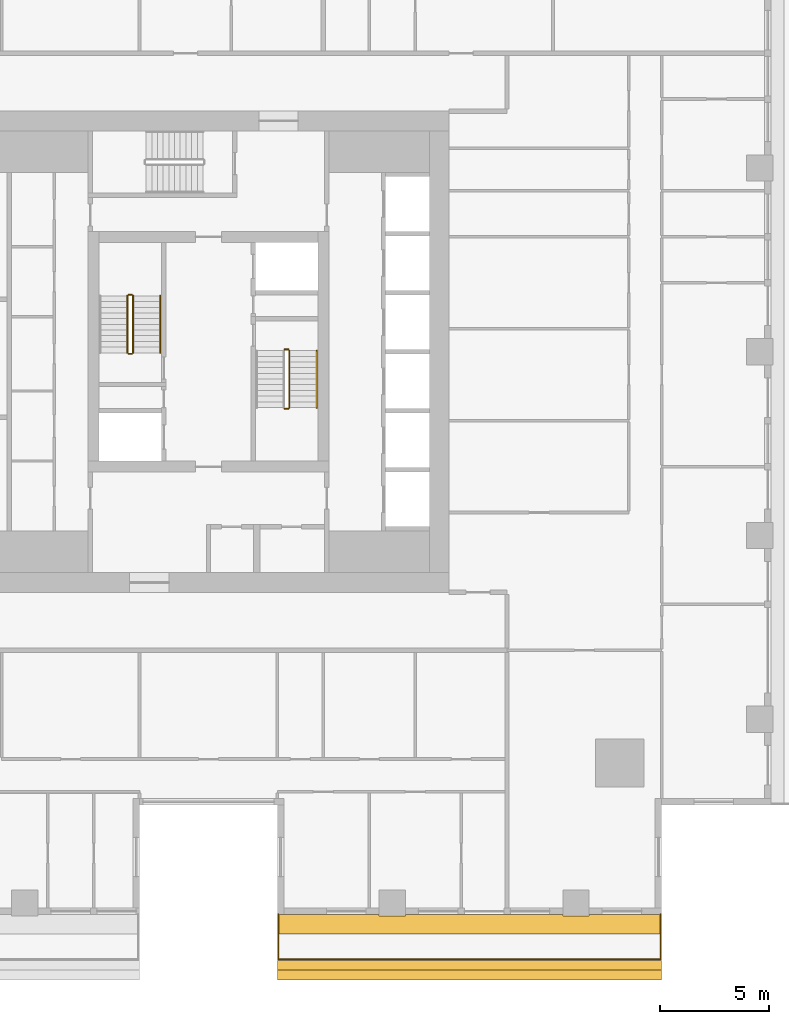
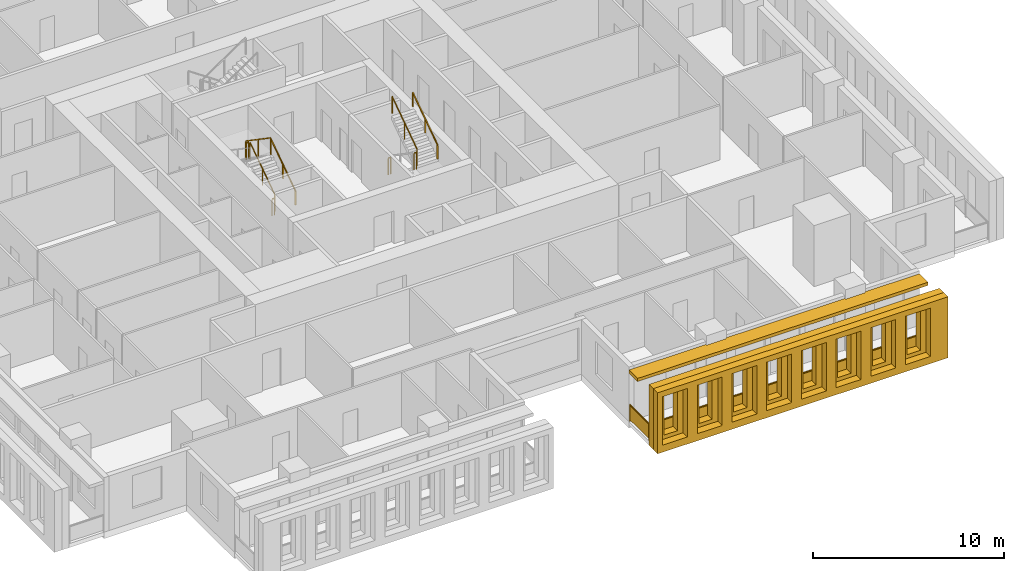
# One storey, part 12 of 15: 10 railings, 3 shading devices.
"""IFC4 building model written with IfcOpenShell, lengths in metres."""

import ifcopenshell
import ifcopenshell.guid

model = None  # the IFC model being written
_history = None  # IfcOwnerHistory: only IFC2X3 demands one
_inside = {}  # id of a spatial element -> (the spatial element, [elements in it])
_under = {}  # id of a project, library or spatial element -> (it, [spatial elements below it])
_declared = {}  # id of a project -> (the project, [libraries it declares])
_typed = {}  # id of a type object -> (the type object, [elements of that type])
_made_of = {}  # id of a material, layer set ... -> (it, [elements and type objects made of it])


def new_model(schema):
    """Start an empty IFC model of exactly this schema.

    Asked for "IFC4X3", IfcOpenShell would pick the latest addendum, in which some entities
    have other attributes; the version numbers below select the first issue.
    IFC2X3 requires an IfcOwnerHistory on every rooted entity: one is made here for all.
    """
    global model, _history
    if schema == "IFC4X3":
        model = ifcopenshell.file(schema_version=(4, 3, 0, 0))
    else:
        model = ifcopenshell.file(schema=schema)
    _inside.clear()
    _under.clear()
    _declared.clear()
    _typed.clear()
    _made_of.clear()
    _history = None
    if model.schema == "IFC2X3":
        org = make("IfcOrganization", Name="unknown")
        user = make(
            "IfcPersonAndOrganization",
            ThePerson=make("IfcPerson", FamilyName="unknown"),
            TheOrganization=org,
        )
        app = make(
            "IfcApplication",
            ApplicationDeveloper=org,
            Version="unknown",
            ApplicationFullName="unknown",
            ApplicationIdentifier="unknown",
        )
        _history = make(
            "IfcOwnerHistory",
            OwningUser=user,
            OwningApplication=app,
            ChangeAction="ADDED",
            CreationDate=0,
        )
    return model


def make(cls, **values):
    """One entity of the class cls with the attributes given. An attribute that is None is left unset."""
    return model.create_entity(
        cls, **{name: value for name, value in values.items() if value is not None}
    )


def rooted(cls, **values):
    """An entity with a GlobalId (a new one), such as an element, a storey or a relation."""
    return make(cls, GlobalId=ifcopenshell.guid.new(), OwnerHistory=_history, **values)


def si_unit(unit_type, name, prefix=None):
    """IfcSIUnit, for example si_unit("LENGTHUNIT", "METRE", prefix="MILLI")."""
    return make("IfcSIUnit", UnitType=unit_type, Prefix=prefix, Name=name)


def assignment(units):
    """IfcUnitAssignment: the units of a project."""
    return None if units is None else make("IfcUnitAssignment", Units=units)


def point(xyz):
    """IfcCartesianPoint."""
    return None if xyz is None else make("IfcCartesianPoint", Coordinates=xyz)


def direction(xyz):
    """IfcDirection."""
    return None if xyz is None else make("IfcDirection", DirectionRatios=xyz)


def frame(location, z_axis=None, x_axis=None):
    """IfcAxis2Placement3D, a coordinate frame: its origin and axes. An axis left out is left unset."""
    return make(
        "IfcAxis2Placement3D",
        Location=point(location),
        Axis=direction(z_axis),
        RefDirection=direction(x_axis),
    )


def frame_2d(location, x_axis=None):
    """IfcAxis2Placement2D, a coordinate frame in the plane: its origin and x axis."""
    return make(
        "IfcAxis2Placement2D", Location=point(location), RefDirection=direction(x_axis)
    )


def origin():
    """The frame at (0, 0, 0) with its axes left unset."""
    return frame((0.0, 0.0, 0.0))


def origin_2d():
    """The frame at (0, 0) in the plane with its x axis left unset."""
    return frame_2d((0.0, 0.0))


def place(relative_to, where):
    """IfcLocalPlacement: puts the frame where relative to a parent placement (None: the world)."""
    return make(
        "IfcLocalPlacement", PlacementRelTo=relative_to, RelativePlacement=where
    )


def context(
    kind, dimensions, precision=None, world=None, true_north=None, identifier=None
):
    """IfcGeometricRepresentationContext, for example the 3D "Model" context."""
    return make(
        "IfcGeometricRepresentationContext",
        ContextIdentifier=identifier,
        ContextType=kind,
        CoordinateSpaceDimension=dimensions,
        Precision=precision,
        WorldCoordinateSystem=world,
        TrueNorth=true_north,
    )


def subcontext(parent, identifier, kind, view, scale=None):
    """IfcGeometricRepresentationSubContext, for example "Body" below "Model"."""
    return make(
        "IfcGeometricRepresentationSubContext",
        ContextIdentifier=identifier,
        ContextType=kind,
        ParentContext=parent,
        TargetScale=scale,
        TargetView=view,
    )


def project(units=None, contexts=None):
    """IfcProject with its units and contexts."""
    return rooted(
        "IfcProject",
        Name="project",
        RepresentationContexts=contexts,
        UnitsInContext=assignment(units),
    )


def spatial(cls, under=None, at=None, **own):
    """A site, building, storey or space (cls), placed at a placement, below another one or the project."""
    s = rooted(cls, ObjectPlacement=at, **own)
    if under is not None:
        _under.setdefault(under.id(), (under, []))[1].append(s)
    return s


def polyline(points):
    """IfcPolyline through the points."""
    return make("IfcPolyline", Points=[point(p) for p in points])


def profile(cls, at=None, kind="AREA", **sizes):
    """A parametric profile (cls). Its sizes go by their IFC names, for example OverallWidth=200.0."""
    return make(cls, ProfileType=kind, Position=at, **sizes)


def rectangle(**sizes):
    """IfcRectangleProfileDef."""
    return profile("IfcRectangleProfileDef", **sizes)


def outline(outer, holes=None, kind="AREA"):
    """IfcArbitraryClosedProfileDef: a profile drawn as a closed curve; with holes, ...WithVoids."""
    if holes is None:
        return make("IfcArbitraryClosedProfileDef", ProfileType=kind, OuterCurve=outer)
    return make(
        "IfcArbitraryProfileDefWithVoids",
        ProfileType=kind,
        OuterCurve=outer,
        InnerCurves=holes,
    )


def extrude(swept, where, along, depth):
    """IfcExtrudedAreaSolid: the profile swept, set in the frame where, extruded along a direction by depth."""
    return make(
        "IfcExtrudedAreaSolid",
        SweptArea=swept,
        Position=where,
        ExtrudedDirection=direction(along),
        Depth=depth,
    )


def shape(context_of_items, identifier, shape_type, items):
    """IfcShapeRepresentation: the items that make up one representation, for example the "Body"."""
    return make(
        "IfcShapeRepresentation",
        ContextOfItems=context_of_items,
        RepresentationIdentifier=identifier,
        RepresentationType=shape_type,
        Items=items,
    )


def material(Name=None, Category=None):
    """IfcMaterial."""
    return make("IfcMaterial", Name=Name, Category=Category)


def layer(
    of_material, thickness, ventilated=None, Name=None, Category=None, Priority=None
):
    """IfcMaterialLayer: one layer of a wall or slab, of a material (None: an air gap)."""
    return make(
        "IfcMaterialLayer",
        Material=of_material,
        LayerThickness=thickness,
        IsVentilated=ventilated,
        Name=Name,
        Category=Category,
        Priority=Priority,
    )


def layer_set(layers, Name=None):
    """IfcMaterialLayerSet."""
    return make("IfcMaterialLayerSet", MaterialLayers=layers, LayerSetName=Name)


def made_of(thing, what):
    """Note that an element or type object is made of a material, layer set ...; save() writes the relation."""
    if what is not None:
        _made_of.setdefault(what.id(), (what, []))[1].append(thing)
    return thing


def type_object(cls, material=None, **own):
    """A type object (cls), such as IfcWallType, which elements share."""
    return made_of(rooted(cls, **own), material)


def element(
    cls,
    number,
    at=None,
    inside=None,
    cuts=None,
    type_object=None,
    material=None,
    context=None,
    identifier="Body",
    shape_type=None,
    held_by="IfcProductDefinitionShape",
    body=None,
    shapes=None,
    **own,
):
    """One element of the class cls, such as IfcWall. Its Tag is "e" and its number.

    at: its placement. inside: the storey or other place that contains it. cuts: it is an
    opening in that element (IfcRelVoidsElement). A single representation is given by context,
    identifier, shape_type and body (its items); several are given by shapes. held_by: the class
    of the entity that holds the representations. save() writes the other relations.
    """
    e = rooted(cls, Tag="e%d" % number, ObjectPlacement=at, **own)
    if body is not None:
        shapes = [shape(context, identifier, shape_type, body)]
    if shapes is not None:
        e.Representation = make(held_by, Representations=shapes)
    if inside is not None:
        _inside.setdefault(inside.id(), (inside, []))[1].append(e)
    if cuts is not None:
        rooted(
            "IfcRelVoidsElement", RelatingBuildingElement=cuts, RelatedOpeningElement=e
        )
    if type_object is not None:
        _typed.setdefault(type_object.id(), (type_object, []))[1].append(e)
    return made_of(e, material)


def aggregate(whole, parts):
    """IfcRelAggregates: a whole, such as a stair, and the parts it consists of."""
    return rooted("IfcRelAggregates", RelatingObject=whole, RelatedObjects=parts)


def save(model, path):
    """Write the relations noted so far, then the file.

    IfcRelAggregates (storeys below a building ...), IfcRelContainedInSpatialStructure (elements
    in a storey), IfcRelDefinesByType, IfcRelAssociatesMaterial and IfcRelDeclares: one each for
    every whole, place, type object, material and project.
    """
    for whole, parts in _under.values():
        aggregate(whole, parts)
    for where, things in _inside.values():
        rooted(
            "IfcRelContainedInSpatialStructure",
            RelatedElements=things,
            RelatingStructure=where,
        )
    for kind, things in _typed.values():
        rooted("IfcRelDefinesByType", RelatedObjects=things, RelatingType=kind)
    for what, things in _made_of.values():
        rooted("IfcRelAssociatesMaterial", RelatedObjects=things, RelatingMaterial=what)
    for by, libraries in _declared.values():
        rooted("IfcRelDeclares", RelatingContext=by, RelatedDefinitions=libraries)
    model.write(path)


model = new_model("IFC4")

# Units and contexts
model_context = context("Model", 3, precision=1e-05, world=origin(), true_north=direction((0.0, 1.0)))
body_context = subcontext(model_context, "Body", "Model", "MODEL_VIEW")
ifc_project = project(units=[si_unit("LENGTHUNIT", "METRE"), si_unit("AREAUNIT", "SQUARE_METRE"), si_unit("VOLUMEUNIT", "CUBIC_METRE"), si_unit("PLANEANGLEUNIT", "RADIAN"), si_unit("MASSUNIT", "GRAM", prefix="KILO")], contexts=[model_context])

# Site, building, storey
site_placement = place(None, origin())
site = spatial("IfcSite", under=ifc_project, at=site_placement, CompositionType="ELEMENT")
building_placement = place(site_placement, origin())
building = spatial("IfcBuilding", under=site, at=building_placement, Name="Khepri Terraces", CompositionType="ELEMENT")
storey_placement = place(building_placement, frame((0.0, 0.0, 244.5)))
storey = spatial("IfcBuildingStorey", under=building, at=storey_placement, Name="L58", CompositionType="ELEMENT", Elevation=244.5)

# Railings
ifc_material_1 = material(Name="Stainless steel grade 316", Category="steel")
railing_type_1 = type_object("IfcRailingType", Name="GRD-BAL-1100", PredefinedType="GUARDRAIL", material=ifc_material_1)
railing_1_placement = place(storey_placement, frame((3.199951171875, -25.719970703125, 0.0)))
element("IfcRailing", 1, at=railing_1_placement, inside=storey, type_object=railing_type_1, Name="Balcony guard L58 S", PredefinedType="GUARDRAIL", context=body_context, shape_type="SweptSolid", body=[
    extrude(rectangle(XDim=0.050048828125, YDim=0.06005859375, at=origin_2d()), frame((0.0, 0.0, 1.070068359375), z_axis=(0.0, -1.0, 0.0), x_axis=(1.0, 0.0, 0.0)), (0.0, 0.0, 1.0), 2.050048828125),
    extrude(rectangle(XDim=2.0, YDim=0.011962890625, at=origin_2d()), frame((0.0, -1.02490234375, 0.10009765625), z_axis=(0.0, 0.0, 1.0), x_axis=(0.0, -1.0, 0.0)), (0.0, 0.0, 1.0), 0.93994140625),
    extrude(rectangle(XDim=0.050048828125, YDim=0.06005859375, at=origin_2d()), frame((0.0, -2.050048828125, 1.070068359375), z_axis=(1.0, 0.0, 0.0), x_axis=(0.0, 1.0, 0.0)), (0.0, 0.0, 1.0), 17.469970703125),
    extrude(rectangle(XDim=2.1337890625, YDim=0.011962890625, at=origin_2d()), frame((1.091796875, -2.050048828125, 0.10009765625), z_axis=(0.0, 0.0, 1.0), x_axis=(1.0, 0.0, 0.0)), (0.0, 0.0, 1.0), 0.93994140625),
    extrude(rectangle(XDim=2.1337890625, YDim=0.011962890625, at=origin_2d()), frame((3.275634765625, -2.050048828125, 0.10009765625), z_axis=(0.0, 0.0, 1.0), x_axis=(1.0, 0.0, 0.0)), (0.0, 0.0, 1.0), 0.93994140625),
    extrude(rectangle(XDim=2.1337890625, YDim=0.011962890625, at=origin_2d()), frame((5.45947265625, -2.050048828125, 0.10009765625), z_axis=(0.0, 0.0, 1.0), x_axis=(1.0, 0.0, 0.0)), (0.0, 0.0, 1.0), 0.93994140625),
    extrude(rectangle(XDim=2.1337890625, YDim=0.011962890625, at=origin_2d()), frame((7.64306640625, -2.050048828125, 0.10009765625), z_axis=(0.0, 0.0, 1.0), x_axis=(1.0, 0.0, 0.0)), (0.0, 0.0, 1.0), 0.93994140625),
    extrude(rectangle(XDim=2.1337890625, YDim=0.011962890625, at=origin_2d()), frame((9.826904296875, -2.050048828125, 0.10009765625), z_axis=(0.0, 0.0, 1.0), x_axis=(1.0, 0.0, 0.0)), (0.0, 0.0, 1.0), 0.93994140625),
    extrude(rectangle(XDim=2.1337890625, YDim=0.011962890625, at=origin_2d()), frame((12.010498046875, -2.050048828125, 0.10009765625), z_axis=(0.0, 0.0, 1.0), x_axis=(1.0, 0.0, 0.0)), (0.0, 0.0, 1.0), 0.93994140625),
    extrude(rectangle(XDim=2.1337890625, YDim=0.011962890625, at=origin_2d()), frame((14.1943359375, -2.050048828125, 0.10009765625), z_axis=(0.0, 0.0, 1.0), x_axis=(1.0, 0.0, 0.0)), (0.0, 0.0, 1.0), 0.93994140625),
    extrude(rectangle(XDim=2.1337890625, YDim=0.011962890625, at=origin_2d()), frame((16.378173828125, -2.050048828125, 0.10009765625), z_axis=(0.0, 0.0, 1.0), x_axis=(1.0, 0.0, 0.0)), (0.0, 0.0, 1.0), 0.93994140625),
    extrude(rectangle(XDim=0.050048828125, YDim=0.06005859375, at=origin_2d()), frame((17.469970703125, -2.050048828125, 1.070068359375), z_axis=(0.0, 1.0, 0.0), x_axis=(-1.0, 0.0, 0.0)), (0.0, 0.0, 1.0), 2.050048828125),
    extrude(rectangle(XDim=2.0, YDim=0.011962890625, at=origin_2d()), frame((17.469970703125, -1.02490234375, 0.10009765625), z_axis=(0.0, 0.0, 1.0), x_axis=(0.0, 1.0, 0.0)), (0.0, 0.0, 1.0), 0.93994140625),
    extrude(rectangle(XDim=0.050048828125, YDim=0.050048828125, at=origin_2d()), origin(), (0.0, 0.0, 1.0), 1.0400390625),
    extrude(rectangle(XDim=0.050048828125, YDim=0.050048828125, at=origin_2d()), frame((0.0, -2.050048828125, 0.0)), (0.0, 0.0, 1.0), 1.0400390625),
    extrude(rectangle(XDim=0.050048828125, YDim=0.050048828125, at=origin_2d()), frame((2.183837890625, -2.050048828125, 0.0)), (0.0, 0.0, 1.0), 1.0400390625),
    extrude(rectangle(XDim=0.050048828125, YDim=0.050048828125, at=origin_2d()), frame((4.367431640625, -2.050048828125, 0.0)), (0.0, 0.0, 1.0), 1.0400390625),
    extrude(rectangle(XDim=0.050048828125, YDim=0.050048828125, at=origin_2d()), frame((6.55126953125, -2.050048828125, 0.0)), (0.0, 0.0, 1.0), 1.0400390625),
    extrude(rectangle(XDim=0.050048828125, YDim=0.050048828125, at=origin_2d()), frame((8.73486328125, -2.050048828125, 0.0)), (0.0, 0.0, 1.0), 1.0400390625),
    extrude(rectangle(XDim=0.050048828125, YDim=0.050048828125, at=origin_2d()), frame((10.918701171875, -2.050048828125, 0.0)), (0.0, 0.0, 1.0), 1.0400390625),
    extrude(rectangle(XDim=0.050048828125, YDim=0.050048828125, at=origin_2d()), frame((13.1025390625, -2.050048828125, 0.0)), (0.0, 0.0, 1.0), 1.0400390625),
    extrude(rectangle(XDim=0.050048828125, YDim=0.050048828125, at=origin_2d()), frame((15.2861328125, -2.050048828125, 0.0)), (0.0, 0.0, 1.0), 1.0400390625),
    extrude(rectangle(XDim=0.050048828125, YDim=0.050048828125, at=origin_2d()), frame((17.469970703125, -2.050048828125, 0.0)), (0.0, 0.0, 1.0), 1.0400390625),
    extrude(rectangle(XDim=0.050048828125, YDim=0.050048828125, at=origin_2d()), frame((17.469970703125, 0.0, 0.0)), (0.0, 0.0, 1.0), 1.0400390625),
])
ifc_material_2 = material(Name="Stainless steel 316", Category="steel")
railing_type_2 = type_object("IfcRailingType", Name="RL-CORE-GUARD", PredefinedType="GUARDRAIL", material=ifc_material_2)
railing_2_placement = place(storey_placement, frame((-3.449951171875, -0.050048828125, 0.17724609375)))
element("IfcRailing", 2, at=railing_2_placement, inside=storey, type_object=railing_type_2, Name="L58 ST-1 stair guard 1", PredefinedType="GUARDRAIL", context=body_context, shape_type="SweptSolid", body=[
    extrude(rectangle(XDim=0.050048828125, YDim=0.06005859375, at=origin_2d()), frame((0.0, 0.0, 1.070068359375), z_axis=(0.0, 0.826240473404, 0.563317565952), x_axis=(-1.0, 0.0, 0.0)), (0.0, 0.0, 1.0), 3.14697265625),
    extrude(rectangle(XDim=0.050048828125, YDim=0.050048828125, at=origin_2d()), origin(), (0.0, 0.0, 1.0), 1.0400390625),
    extrude(rectangle(XDim=0.050048828125, YDim=0.050048828125, at=origin_2d()), frame((0.0, 1.300048828125, 0.88623046875)), (0.0, 0.0, 1.0), 1.0400390625),
    extrude(rectangle(XDim=0.050048828125, YDim=0.050048828125, at=origin_2d()), frame((0.0, 2.60009765625, 1.772705078125)), (0.0, 0.0, 1.0), 1.0400390625),
])
railing_3_placement = place(storey_placement, frame((-3.5, 2.60009765625, 1.949951171875)))
element("IfcRailing", 3, at=railing_3_placement, inside=storey, type_object=railing_type_2, Name="L58 ST-1 stair guard 2", PredefinedType="GUARDRAIL", context=body_context, shape_type="SweptSolid", body=[
    extrude(rectangle(XDim=0.050048828125, YDim=0.06005859375, at=origin_2d()), frame((0.0, 0.0, 1.070068359375), z_axis=(-1.0, 0.0, 0.0), x_axis=(0.0, -1.0, 0.0)), (0.0, 0.0, 1.0), 0.14990234375),
    extrude(rectangle(XDim=0.050048828125, YDim=0.050048828125, at=origin_2d()), origin(), (0.0, 0.0, 1.0), 1.0400390625),
    extrude(rectangle(XDim=0.050048828125, YDim=0.050048828125, at=origin_2d()), frame((-0.14990234375, 0.0, 0.0)), (0.0, 0.0, 1.0), 1.0400390625),
])
railing_4_placement = place(storey_placement, frame((-3.699951171875, 2.550048828125, 2.127197265625)))
element("IfcRailing", 4, at=railing_4_placement, inside=storey, type_object=railing_type_2, Name="L58 ST-1 stair guard 3", PredefinedType="GUARDRAIL", context=body_context, shape_type="SweptSolid", body=[
    extrude(rectangle(XDim=0.050048828125, YDim=0.06005859375, at=origin_2d()), frame((0.0, 0.0, 1.070068359375), z_axis=(0.0, -0.826240473404, 0.563317565952), x_axis=(1.0, 0.0, 0.0)), (0.0, 0.0, 1.0), 3.14697265625),
    extrude(rectangle(XDim=0.050048828125, YDim=0.050048828125, at=origin_2d()), origin(), (0.0, 0.0, 1.0), 1.0400390625),
    extrude(rectangle(XDim=0.050048828125, YDim=0.050048828125, at=origin_2d()), frame((0.0, -1.300048828125, 0.88623046875)), (0.0, 0.0, 1.0), 1.0400390625),
    extrude(rectangle(XDim=0.050048828125, YDim=0.050048828125, at=origin_2d()), frame((0.0, -2.60009765625, 1.772705078125)), (0.0, 0.0, 1.0), 1.0400390625),
])
railing_5_placement = place(storey_placement, frame((-3.5, -0.10009765625, 0.0)))
element("IfcRailing", 5, at=railing_5_placement, inside=storey, type_object=railing_type_2, Name="L58 ST-1 stair guard 4", PredefinedType="GUARDRAIL", context=body_context, shape_type="SweptSolid", body=[
    extrude(rectangle(XDim=0.050048828125, YDim=0.06005859375, at=origin_2d()), frame((0.0, 0.0, 1.070068359375), z_axis=(-1.0, 0.0, 0.0), x_axis=(0.0, -1.0, 0.0)), (0.0, 0.0, 1.0), 0.14990234375),
    extrude(rectangle(XDim=0.050048828125, YDim=0.050048828125, at=origin_2d()), origin(), (0.0, 0.0, 1.0), 1.0400390625),
    extrude(rectangle(XDim=0.050048828125, YDim=0.050048828125, at=origin_2d()), frame((-0.14990234375, 0.0, 0.0)), (0.0, 0.0, 1.0), 1.0400390625),
])
railing_6_placement = place(storey_placement, frame((3.5, -2.60009765625, 1.949951171875)))
element("IfcRailing", 6, at=railing_6_placement, inside=storey, type_object=railing_type_2, Name="L58 ST-2 stair guard 2", PredefinedType="GUARDRAIL", context=body_context, shape_type="SweptSolid", body=[
    extrude(rectangle(XDim=0.050048828125, YDim=0.06005859375, at=origin_2d()), frame((0.0, 0.0, 1.070068359375), z_axis=(1.0, 0.0, 0.0), x_axis=(0.0, 1.0, 0.0)), (0.0, 0.0, 1.0), 0.14990234375),
    extrude(rectangle(XDim=0.050048828125, YDim=0.050048828125, at=origin_2d()), origin(), (0.0, 0.0, 1.0), 1.0400390625),
    extrude(rectangle(XDim=0.050048828125, YDim=0.050048828125, at=origin_2d()), frame((0.14990234375, 0.0, 0.0)), (0.0, 0.0, 1.0), 1.0400390625),
])
railing_7_placement = place(storey_placement, frame((3.699951171875, -2.550048828125, 2.127197265625)))
element("IfcRailing", 7, at=railing_7_placement, inside=storey, type_object=railing_type_2, Name="L58 ST-2 stair guard 3", PredefinedType="GUARDRAIL", context=body_context, shape_type="SweptSolid", body=[
    extrude(rectangle(XDim=0.050048828125, YDim=0.06005859375, at=origin_2d()), frame((0.0, 0.0, 1.070068359375), z_axis=(0.0, 0.826240473404, 0.563317565952), x_axis=(-1.0, 0.0, 0.0)), (0.0, 0.0, 1.0), 3.14697265625),
    extrude(rectangle(XDim=0.050048828125, YDim=0.050048828125, at=origin_2d()), origin(), (0.0, 0.0, 1.0), 1.0400390625),
    extrude(rectangle(XDim=0.050048828125, YDim=0.050048828125, at=origin_2d()), frame((0.0, 1.300048828125, 0.88623046875)), (0.0, 0.0, 1.0), 1.0400390625),
    extrude(rectangle(XDim=0.050048828125, YDim=0.050048828125, at=origin_2d()), frame((0.0, 2.60009765625, 1.772705078125)), (0.0, 0.0, 1.0), 1.0400390625),
])
railing_8_placement = place(storey_placement, frame((3.5, 0.10009765625, 0.0)))
element("IfcRailing", 8, at=railing_8_placement, inside=storey, type_object=railing_type_2, Name="L58 ST-2 stair guard 4", PredefinedType="GUARDRAIL", context=body_context, shape_type="SweptSolid", body=[
    extrude(rectangle(XDim=0.050048828125, YDim=0.06005859375, at=origin_2d()), frame((0.0, 0.0, 1.070068359375), z_axis=(1.0, 0.0, 0.0), x_axis=(0.0, 1.0, 0.0)), (0.0, 0.0, 1.0), 0.14990234375),
    extrude(rectangle(XDim=0.050048828125, YDim=0.050048828125, at=origin_2d()), origin(), (0.0, 0.0, 1.0), 1.0400390625),
    extrude(rectangle(XDim=0.050048828125, YDim=0.050048828125, at=origin_2d()), frame((0.14990234375, 0.0, 0.0)), (0.0, 0.0, 1.0), 1.0400390625),
])
railing_type_3 = type_object("IfcRailingType", Name="RL-CORE-HANDRAIL", PredefinedType="HANDRAIL", material=ifc_material_2)
for number, where, name in (
    (9, (-2.199951171875, -0.050048828125, 0.17724609375), "L58 ST-1 stair handrail 1"),
    (10, (4.949951171875, -2.550048828125, 2.127197265625), "L58 ST-2 stair handrail 2"),
):
    element("IfcRailing", number, at=place(storey_placement, frame(where)), inside=storey, type_object=railing_type_3, Name=name, PredefinedType="HANDRAIL", context=body_context, shape_type="SweptSolid", body=[
        extrude(rectangle(XDim=0.050048828125, YDim=0.050048828125, at=origin_2d()), frame((0.0, 0.0, 0.875), z_axis=(0.0, 0.826240473404, 0.563317565952), x_axis=(-1.0, 0.0, 0.0)), (0.0, 0.0, 1.0), 3.14697265625),
        extrude(rectangle(XDim=0.050048828125, YDim=0.050048828125, at=origin_2d()), origin(), (0.0, 0.0, 1.0), 0.849853515625),
        extrude(rectangle(XDim=0.050048828125, YDim=0.050048828125, at=origin_2d()), frame((0.0, 1.300048828125, 0.88623046875)), (0.0, 0.0, 1.0), 0.849853515625),
        extrude(rectangle(XDim=0.050048828125, YDim=0.050048828125, at=origin_2d()), frame((0.0, 2.60009765625, 1.772705078125)), (0.0, 0.0, 1.0), 0.849853515625),
    ])

# Shading devices
ifc_material_3 = material(Name="Precast concrete C50/60 warm stone", Category="masonry")
shading_device_type_1 = type_object("IfcShadingDeviceType", Name="SCR-CELL-INNER-450", PredefinedType="USERDEFINED", material=ifc_material_3)
shading_device_1_placement = place(storey_placement, frame((3.14990234375, -27.820068359375, -0.25), z_axis=(0.0, -1.0, 0.0), x_axis=(1.0, 0.0, 0.0)))
element("IfcShadingDevice", 11, at=shading_device_1_placement, inside=storey, type_object=shading_device_type_1, Name="Cell screen L58 S in", ObjectType="SCREEN", PredefinedType="USERDEFINED", context=body_context, shape_type="SweptSolid", body=[
    extrude(outline(polyline([(0.0, 0.0), (17.570068359375, 0.0), (17.570068359375, 3.89990234375), (0.0, 3.89990234375), (0.0, 0.0)]), holes=[polyline([(0.6484375, 0.699951171875), (1.45166015625, 0.699951171875), (1.45166015625, 3.300048828125), (0.6484375, 3.300048828125), (0.6484375, 0.699951171875)]), polyline([(2.748291015625, 0.699951171875), (3.551513671875, 0.699951171875), (3.551513671875, 3.300048828125), (2.748291015625, 3.300048828125), (2.748291015625, 0.699951171875)]), polyline([(4.848388671875, 0.699951171875), (5.651611328125, 0.699951171875), (5.651611328125, 3.300048828125), (4.848388671875, 3.300048828125), (4.848388671875, 0.699951171875)]), polyline([(6.948486328125, 0.699951171875), (7.751708984375, 0.699951171875), (7.751708984375, 3.300048828125), (6.948486328125, 3.300048828125), (6.948486328125, 0.699951171875)]), polyline([(9.04833984375, 0.699951171875), (9.8515625, 0.699951171875), (9.8515625, 3.300048828125), (9.04833984375, 3.300048828125), (9.04833984375, 0.699951171875)]), polyline([(11.1484375, 0.699951171875), (11.95166015625, 0.699951171875), (11.95166015625, 3.300048828125), (11.1484375, 3.300048828125), (11.1484375, 0.699951171875)]), polyline([(13.248291015625, 0.699951171875), (14.051513671875, 0.699951171875), (14.051513671875, 3.300048828125), (13.248291015625, 3.300048828125), (13.248291015625, 0.699951171875)]), polyline([(15.348388671875, 0.699951171875), (16.151611328125, 0.699951171875), (16.151611328125, 3.300048828125), (15.348388671875, 3.300048828125), (15.348388671875, 0.699951171875)])]), origin(), (0.0, 0.0, 1.0), 0.449951171875),
])
shading_device_type_2 = type_object("IfcShadingDeviceType", Name="SCR-CELL-OUTER-450", PredefinedType="USERDEFINED", material=ifc_material_3)
shading_device_2_placement = place(storey_placement, frame((3.14990234375, -28.27001953125, -0.25), z_axis=(0.0, -1.0, 0.0), x_axis=(1.0, 0.0, 0.0)))
element("IfcShadingDevice", 12, at=shading_device_2_placement, inside=storey, type_object=shading_device_type_2, Name="Cell screen L58 S out", ObjectType="SCREEN", PredefinedType="USERDEFINED", context=body_context, shape_type="SweptSolid", body=[
    extrude(outline(polyline([(0.0, 0.0), (17.570068359375, 0.0), (17.570068359375, 3.89990234375), (0.0, 3.89990234375), (0.0, 0.0)]), holes=[polyline([(0.29833984375, 0.449951171875), (1.801513671875, 0.449951171875), (1.801513671875, 3.550048828125), (0.29833984375, 3.550048828125), (0.29833984375, 0.449951171875)]), polyline([(2.3984375, 0.449951171875), (3.901611328125, 0.449951171875), (3.901611328125, 3.550048828125), (2.3984375, 3.550048828125), (2.3984375, 0.449951171875)]), polyline([(4.498291015625, 0.449951171875), (6.001708984375, 0.449951171875), (6.001708984375, 3.550048828125), (4.498291015625, 3.550048828125), (4.498291015625, 0.449951171875)]), polyline([(6.598388671875, 0.449951171875), (8.1015625, 0.449951171875), (8.1015625, 3.550048828125), (6.598388671875, 3.550048828125), (6.598388671875, 0.449951171875)]), polyline([(8.698486328125, 0.449951171875), (10.20166015625, 0.449951171875), (10.20166015625, 3.550048828125), (8.698486328125, 3.550048828125), (8.698486328125, 0.449951171875)]), polyline([(10.79833984375, 0.449951171875), (12.301513671875, 0.449951171875), (12.301513671875, 3.550048828125), (10.79833984375, 3.550048828125), (10.79833984375, 0.449951171875)]), polyline([(12.8984375, 0.449951171875), (14.401611328125, 0.449951171875), (14.401611328125, 3.550048828125), (12.8984375, 3.550048828125), (12.8984375, 0.449951171875)]), polyline([(14.998291015625, 0.449951171875), (16.501708984375, 0.449951171875), (16.501708984375, 3.550048828125), (14.998291015625, 3.550048828125), (14.998291015625, 0.449951171875)])]), origin(), (0.0, 0.0, 1.0), 0.449951171875),
])
ifc_layer = layer(ifc_material_3, 0.199951171875, Name="Precast concrete C50/60 warm stone", Category="masonry")
ifc_layer_set = layer_set([ifc_layer], Name="Precast concrete C50/60 warm stone")
shading_device_type_3 = type_object("IfcShadingDeviceType", Name="SSH-BAND-STONE-200", PredefinedType="USERDEFINED", material=ifc_layer_set)
shading_device_3_placement = place(storey_placement, frame((0.0, 0.0, 3.10009765625)))
element("IfcShadingDevice", 13, at=shading_device_3_placement, inside=storey, type_object=shading_device_type_3, Name="Sunshade band L58 S", ObjectType="SUNSHADE", PredefinedType="USERDEFINED", context=body_context, shape_type="SweptSolid", body=[
    extrude(outline(polyline([(7.800048828125, -25.719970703125), (3.14990234375, -25.719970703125), (3.14990234375, -26.6201171875), (20.719970703125, -26.6201171875), (20.719970703125, -25.719970703125), (17.39990234375, -25.719970703125), (17.39990234375, -25.800048828125), (16.199951171875, -25.800048828125), (16.199951171875, -25.719970703125), (9.0, -25.719970703125), (9.0, -25.800048828125), (7.800048828125, -25.800048828125), (7.800048828125, -25.719970703125)])), origin(), (0.0, 0.0, 1.0), 0.199951171875),
])

save(model, "model.ifc")
